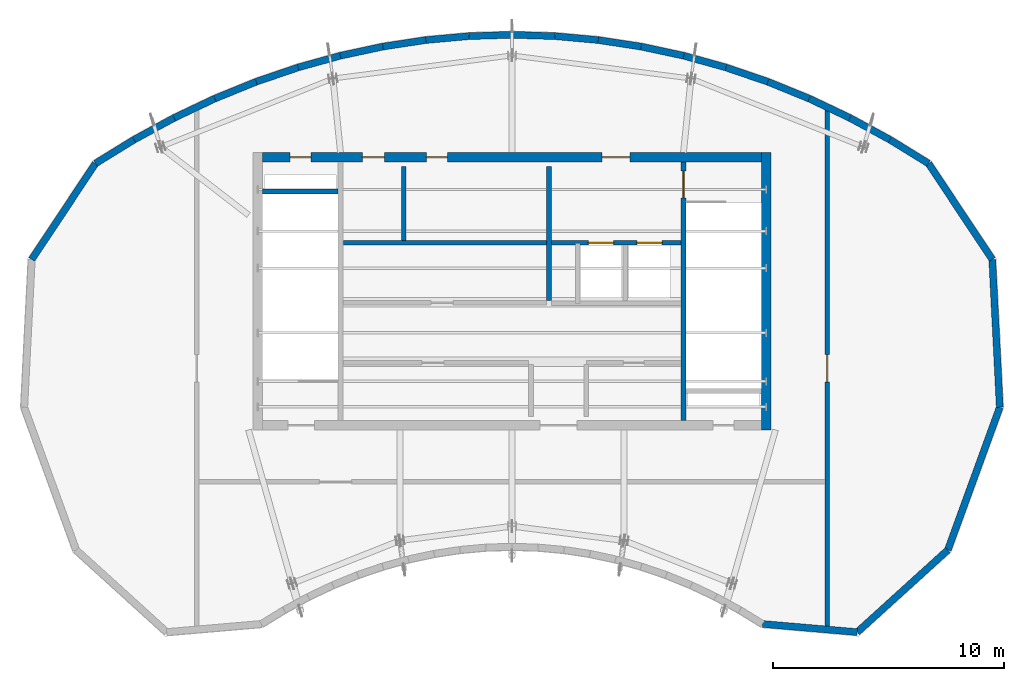
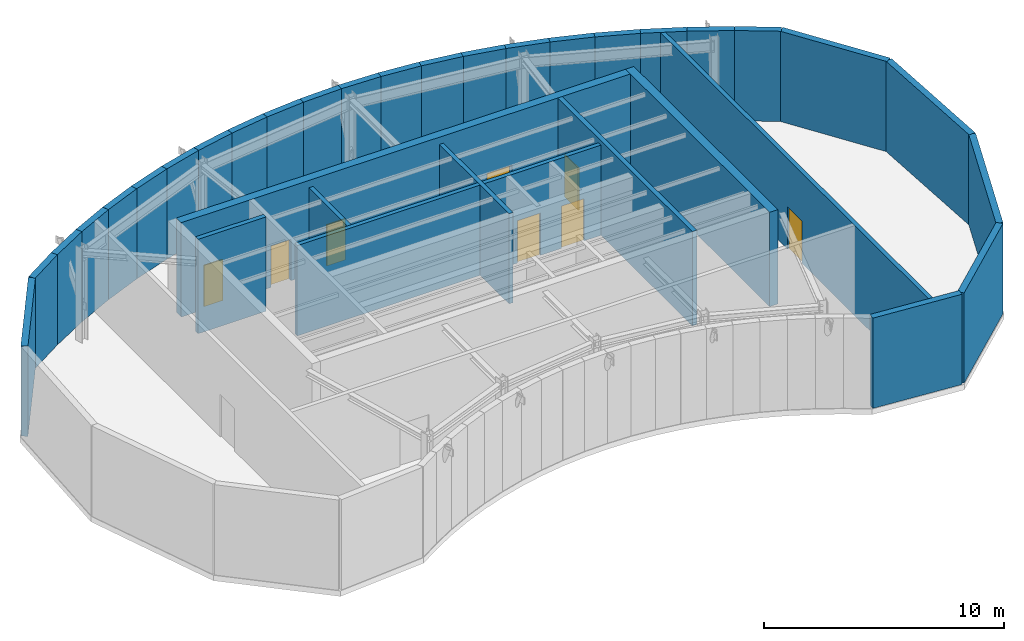
# One storey, part 5 of 6: 35 walls, 8 doors, 8 openings.
"""IFC4 building model written with IfcOpenShell, lengths in metres."""

from ifc_helpers import new_model, si_unit, direction, frame, frame_2d, origin, place, context, subcontext, project, spatial, rectangle, extrude, source, transform, mapped, material, layer, layer_set, type_object, type_shapes, element, fill, save


model = new_model("IFC4")

# Units and contexts
model_context = context("Model", 3, precision=1e-05, world=origin(), true_north=direction((0.0, 1.0)))
body_context = subcontext(model_context, "Body", "Model", "MODEL_VIEW")
ifc_project = project(units=[si_unit("LENGTHUNIT", "METRE"), si_unit("AREAUNIT", "SQUARE_METRE"), si_unit("VOLUMEUNIT", "CUBIC_METRE"), si_unit("PLANEANGLEUNIT", "RADIAN"), si_unit("MASSUNIT", "GRAM", prefix="KILO")], contexts=[model_context])

# Site, building, storey
site_placement = place(None, origin())
site = spatial("IfcSite", under=ifc_project, at=site_placement, CompositionType="ELEMENT")
building_placement = place(site_placement, origin())
building = spatial("IfcBuilding", under=site, at=building_placement, Name="Breltana Convention Tower", CompositionType="ELEMENT")
storey_placement = place(building_placement, frame((0.0, 0.0, 323.39990234375)))
storey = spatial("IfcBuildingStorey", under=building, at=storey_placement, Name="L78", CompositionType="ELEMENT", Elevation=323.39990234375)

# Walls
ifc_material_1 = material(Name="Concrete C50/60", Category="concrete")
ifc_layer_1 = layer(ifc_material_1, 0.39990234375, Name="Concrete C50/60")
ifc_layer_set_1 = layer_set([ifc_layer_1], Name="Concrete C50/60")
wall_type_1 = type_object("IfcWallType", Name="SW-CORE-400", PredefinedType="SHEAR", material=ifc_layer_set_1)
shared_shape_1 = source(origin(), body_context, "Body", "SweptSolid", [
    extrude(rectangle(XDim=3.27001953125, YDim=0.219970703125, at=frame_2d((1.635009765625, 0.0))), origin(), (0.0, 0.0, 1.0), 4.800048828125),
])
wall_1_placement = place(storey_placement, frame((37.199951171875, 70.510009765625, 0.0), z_axis=(0.0, 0.0, 1.0), x_axis=(1.0, 0.0, 0.0)))
element("IfcWall", 1, at=wall_1_placement, inside=storey, type_object=wall_type_1, Name="L78 ST-1 Stairwell North Bearing Wall", PredefinedType="SHEAR", context=body_context, shape_type="MappedRepresentation", body=[
    mapped(shared_shape_1, transform((0.0, 0.0, 0.0), scale=1.0)),
])
shared_shape_2 = source(origin(), body_context, "Body", "SweptSolid", [
    extrude(rectangle(XDim=12.0, YDim=0.39990234375, at=frame_2d((6.0, 0.0))), origin(), (0.0, 0.0, 1.0), 4.800048828125),
])
wall_2_placement = place(storey_placement, frame((59.0, 60.199951171875, 0.0), z_axis=(0.0, 0.0, 1.0), x_axis=(0.0, 1.0, 0.0)))
element("IfcWall", 2, at=wall_2_placement, inside=storey, type_object=wall_type_1, Name="L78 East Core Shear Wall", PredefinedType="SHEAR", context=body_context, shape_type="MappedRepresentation", body=[
    mapped(shared_shape_2, transform((0.0, 0.0, 0.0), scale=1.0)),
])

# Wall, openings, doors
shared_shape_3 = source(origin(), body_context, "Body", "SweptSolid", [
    extrude(rectangle(XDim=21.60009765625, YDim=0.39990234375, at=frame_2d((10.800048828125, 0.0))), origin(), (0.0, 0.0, 1.0), 4.800048828125),
])
wall_3_placement = place(storey_placement, frame((37.199951171875, 72.0, 0.0), z_axis=(0.0, 0.0, 1.0), x_axis=(1.0, 0.0, 0.0)))
wall_3 = element("IfcWall", 3, at=wall_3_placement, inside=storey, type_object=wall_type_1, Name="L78 North Core Shear Wall", PredefinedType="SHEAR", context=body_context, shape_type="MappedRepresentation", body=[
    mapped(shared_shape_3, transform((0.0, 0.0, 0.0), scale=1.0)),
])
opening_1_placement = place(wall_3_placement, frame((1.199951171875, 0.0, 0.0)))
opening_1 = element("IfcOpeningElement", 4, at=opening_1_placement, cuts=wall_3, Name="Opening D-18", PredefinedType="OPENING", context=body_context, shape_type="SweptSolid", body=[
    extrude(rectangle(XDim=0.89990234375, YDim=2.10009765625, at=frame_2d((0.449951171875, 1.050048828125))), frame((0.0, 0.2099609375, 0.0), z_axis=(0.0, -1.0, 0.0), x_axis=(1.0, 0.0, 0.0)), (0.0, 0.0, 1.0), 0.419921875),
])
opening_2_placement = place(wall_3_placement, frame((14.699951171875, 0.0, 0.0)))
opening_2 = element("IfcOpeningElement", 5, at=opening_2_placement, cuts=wall_3, Name="Opening D-09", PredefinedType="OPENING", context=body_context, shape_type="SweptSolid", body=[
    extrude(rectangle(XDim=1.199951171875, YDim=2.14990234375, at=frame_2d((0.60009765625, 1.074951171875))), frame((0.0, 0.2099609375, 0.0), z_axis=(0.0, -1.0, 0.0), x_axis=(1.0, 0.0, 0.0)), (0.0, 0.0, 1.0), 0.419921875),
])
opening_3_placement = place(wall_3_placement, frame((4.324951171875, 0.0, 0.0)))
opening_3 = element("IfcOpeningElement", 6, at=opening_3_placement, cuts=wall_3, Name="Opening D-15", PredefinedType="OPENING", context=body_context, shape_type="SweptSolid", body=[
    extrude(rectangle(XDim=0.949951171875, YDim=2.10009765625, at=frame_2d((0.47509765625, 1.050048828125))), frame((0.0, 0.2099609375, 0.0), z_axis=(0.0, -1.0, 0.0), x_axis=(1.0, 0.0, 0.0)), (0.0, 0.0, 1.0), 0.419921875),
])
opening_4_placement = place(wall_3_placement, frame((7.10009765625, 0.0, 0.0)))
opening_4 = element("IfcOpeningElement", 7, at=opening_4_placement, cuts=wall_3, Name="Opening D-18", PredefinedType="OPENING", context=body_context, shape_type="SweptSolid", body=[
    extrude(rectangle(XDim=0.89990234375, YDim=2.10009765625, at=frame_2d((0.449951171875, 1.050048828125))), frame((0.0, 0.2099609375, 0.0), z_axis=(0.0, -1.0, 0.0), x_axis=(1.0, 0.0, 0.0)), (0.0, 0.0, 1.0), 0.419921875),
])
ifc_material_2 = material(Name="Steel Riser Fire Door", Category="steel")
door_type_1 = type_object("IfcDoorType", Name="DR-FD60-900", OperationType="NOTDEFINED", PredefinedType="DOOR", material=ifc_material_2)
shared_shape_4 = source(origin(), body_context, "Body", "SweptSolid", [
    extrude(rectangle(XDim=0.89990234375, YDim=2.10009765625, at=frame_2d((0.449951171875, 1.050048828125))), frame((0.0, 0.02490234375, 0.0), z_axis=(0.0, -1.0, 0.0), x_axis=(1.0, 0.0, 0.0)), (0.0, 0.0, 1.0), 0.050048828125),
])
type_shapes(door_type_1, [shared_shape_4])
door_1_placement = place(opening_1_placement, origin())
door_1 = element("IfcDoor", 8, at=door_1_placement, inside=storey, type_object=door_type_1, Name="L78 Core Riser Access Door D-L78-RS1", OperationType="SINGLE_SWING_LEFT", OverallHeight=2.10009765625, OverallWidth=0.89990234375, PredefinedType="DOOR", context=body_context, shape_type="MappedRepresentation", body=[
    mapped(shared_shape_4, transform((0.0, 0.0, 0.0), scale=1.0)),
])
fill(opening_1, door_1)
door_2_placement = place(opening_4_placement, origin())
door_2 = element("IfcDoor", 9, at=door_2_placement, inside=storey, type_object=door_type_1, Name="L78 interior door D-L78-CRA1", OperationType="SINGLE_SWING_RIGHT", OverallHeight=2.10009765625, OverallWidth=0.89990234375, PredefinedType="DOOR", context=body_context, shape_type="MappedRepresentation", body=[
    mapped(shared_shape_4, transform((0.0, 0.0, 0.0), scale=1.0)),
])
fill(opening_4, door_2)
ifc_material_3 = material(Name="Steel Fire Lobby Door", Category="steel")
door_type_2 = type_object("IfcDoorType", Name="DR-FD120-1200", OperationType="NOTDEFINED", PredefinedType="DOOR", material=ifc_material_3)
shared_shape_5 = source(origin(), body_context, "Body", "SweptSolid", [
    extrude(rectangle(XDim=1.199951171875, YDim=2.14990234375, at=frame_2d((0.60009765625, 1.074951171875))), frame((0.0, 0.02490234375, 0.0), z_axis=(0.0, -1.0, 0.0), x_axis=(1.0, 0.0, 0.0)), (0.0, 0.0, 1.0), 0.050048828125),
])
type_shapes(door_type_2, [shared_shape_5])
door_3_placement = place(opening_2_placement, origin())
door_3 = element("IfcDoor", 10, at=door_3_placement, inside=storey, type_object=door_type_2, Name="L78 interior door D-L78-FFL-N", OperationType="SINGLE_SWING_RIGHT", OverallHeight=2.14990234375, OverallWidth=1.199951171875, PredefinedType="DOOR", context=body_context, shape_type="MappedRepresentation", body=[
    mapped(shared_shape_5, transform((0.0, 0.0, 0.0), scale=1.0)),
])
fill(opening_2, door_3)
ifc_material_4 = material(Name="Steel Insulated Fire Door", Category="steel")
door_type_3 = type_object("IfcDoorType", Name="DR-FD90-950", OperationType="NOTDEFINED", PredefinedType="DOOR", material=ifc_material_4)
shared_shape_6 = source(origin(), body_context, "Body", "SweptSolid", [
    extrude(rectangle(XDim=0.949951171875, YDim=2.10009765625, at=frame_2d((0.47509765625, 1.050048828125))), frame((0.0, 0.02490234375, 0.0), z_axis=(0.0, -1.0, 0.0), x_axis=(1.0, 0.0, 0.0)), (0.0, 0.0, 1.0), 0.050048828125),
])
type_shapes(door_type_3, [shared_shape_6])
door_4_placement = place(opening_3_placement, origin())
door_4 = element("IfcDoor", 11, at=door_4_placement, inside=storey, type_object=door_type_3, Name="L78 interior door D-L78-SV-MCH", OperationType="SINGLE_SWING_LEFT", OverallHeight=2.10009765625, OverallWidth=0.949951171875, PredefinedType="DOOR", context=body_context, shape_type="MappedRepresentation", body=[
    mapped(shared_shape_6, transform((0.0, 0.0, 0.0), scale=1.0)),
])
fill(opening_3, door_4)

# Wall, opening, door
shared_shape_7 = source(origin(), body_context, "Body", "SweptSolid", [
    extrude(rectangle(XDim=11.199951171875, YDim=0.219970703125, at=frame_2d((5.60009765625, 0.0))), origin(), (0.0, 0.0, 1.0), 4.800048828125),
])
wall_4_placement = place(storey_placement, frame((55.419921875, 60.60009765625, 0.0), z_axis=(0.0, 0.0, 1.0), x_axis=(0.0, 1.0, 0.0)))
wall_4 = element("IfcWall", 12, at=wall_4_placement, inside=storey, type_object=wall_type_1, Name="L78 Core East Stair Spine Wall", PredefinedType="SHEAR", context=body_context, shape_type="MappedRepresentation", body=[
    mapped(shared_shape_7, transform((0.0, 0.0, 0.0), scale=1.0)),
])
opening_5_placement = place(wall_4_placement, frame((9.64501953125, 0.0, 0.0)))
opening_5 = element("IfcOpeningElement", 13, at=opening_5_placement, cuts=wall_4, Name="Opening D-11", PredefinedType="OPENING", context=body_context, shape_type="SweptSolid", body=[
    extrude(rectangle(XDim=1.14990234375, YDim=2.14990234375, at=frame_2d((0.574951171875, 1.074951171875))), frame((0.0, 0.1201171875, 0.0), z_axis=(0.0, -1.0, 0.0), x_axis=(1.0, 0.0, 0.0)), (0.0, 0.0, 1.0), 0.239990234375),
])
ifc_material_5 = material(Name="Steel Stair Exit Door", Category="steel")
door_type_4 = type_object("IfcDoorType", Name="DR-FD120-1150", OperationType="NOTDEFINED", PredefinedType="DOOR", material=ifc_material_5)
shared_shape_8 = source(origin(), body_context, "Body", "SweptSolid", [
    extrude(rectangle(XDim=1.14990234375, YDim=2.14990234375, at=frame_2d((0.574951171875, 1.074951171875))), frame((0.0, 0.02490234375, 0.0), z_axis=(0.0, -1.0, 0.0), x_axis=(1.0, 0.0, 0.0)), (0.0, 0.0, 1.0), 0.050048828125),
])
type_shapes(door_type_4, [shared_shape_8])
door_5_placement = place(opening_5_placement, origin())
door_5 = element("IfcDoor", 14, at=door_5_placement, inside=storey, type_object=door_type_4, Name="L78 interior door D-L78-ST2", OperationType="SINGLE_SWING_LEFT", OverallHeight=2.14990234375, OverallWidth=1.14990234375, PredefinedType="DOOR", context=body_context, shape_type="MappedRepresentation", body=[
    mapped(shared_shape_8, transform((0.0, 0.0, 0.0), scale=1.0)),
])
fill(opening_5, door_5)

# Walls
ifc_material_6 = material(Name="Limestone Buff Insulated Wall", Category="masonry")
ifc_layer_2 = layer(ifc_material_6, 0.300048828125, Name="Limestone Buff Insulated Wall")
ifc_layer_set_2 = layer_set([ifc_layer_2], Name="Limestone Buff Insulated Wall")
wall_type_2 = type_object("IfcWallType", Name="WL-EXT-CRN-300", PredefinedType="SOLIDWALL", material=ifc_layer_set_2)
shared_shape_9 = source(origin(), body_context, "Body", "SweptSolid", [
    extrude(rectangle(XDim=4.987548828125, YDim=0.300048828125, at=frame_2d((2.49365234375, 0.0))), origin(), (0.0, 0.0, 1.0), 4.590087890625),
])
for number, where, z_axis, x_axis, name in (
    (15, (66.0205078125, 71.72900390625, 0.0), (0.0, 0.0, 1.0), (0.553468328856, -0.832870223356, 0.0), "L78 mechanical limestone enclosure wall 1"),
    (16, (27.218994140625, 67.574951171875, 0.0), (0.0, 0.0, 1.0), (0.553468328856, 0.832870223356, 0.0), "L78 mechanical limestone enclosure wall 49"),
):
    element("IfcWall", number, at=place(storey_placement, frame(where, z_axis=z_axis, x_axis=x_axis)), inside=storey, type_object=wall_type_2, Name=name, PredefinedType="SOLIDWALL", context=body_context, shape_type="MappedRepresentation", body=[
        mapped(shared_shape_9, transform((0.0, 0.0, 0.0), scale=1.0)),
    ])
shared_shape_10 = source(origin(), body_context, "Body", "SweptSolid", [
    extrude(rectangle(XDim=6.39990234375, YDim=0.300048828125, at=frame_2d((3.199951171875, 0.0))), origin(), (0.0, 0.0, 1.0), 4.590087890625),
])
wall_5_placement = place(storey_placement, frame((68.781005859375, 67.574951171875, 0.0), z_axis=(0.0, 0.0, 1.0), x_axis=(0.050888906156, -0.998704320222, 0.0)))
element("IfcWall", 17, at=wall_5_placement, inside=storey, type_object=wall_type_2, Name="L78 mechanical limestone enclosure wall 2", PredefinedType="SOLIDWALL", context=body_context, shape_type="MappedRepresentation", body=[
    mapped(shared_shape_10, transform((0.0, 0.0, 0.0), scale=1.0)),
])
shared_shape_11 = source(origin(), body_context, "Body", "SweptSolid", [
    extrude(rectangle(XDim=6.572998046875, YDim=0.300048828125, at=frame_2d((3.28662109375, 0.0))), origin(), (0.0, 0.0, 1.0), 4.590087890625),
])
wall_6_placement = place(storey_placement, frame((69.106689453125, 61.183349609375, 0.0), z_axis=(0.0, 0.0, 1.0), x_axis=(-0.342017422465, -0.939693611094, 0.0)))
element("IfcWall", 18, at=wall_6_placement, inside=storey, type_object=wall_type_2, Name="L78 mechanical limestone enclosure wall 3", PredefinedType="SOLIDWALL", context=body_context, shape_type="MappedRepresentation", body=[
    mapped(shared_shape_11, transform((0.0, 0.0, 0.0), scale=1.0)),
])
shared_shape_12 = source(origin(), body_context, "Body", "SweptSolid", [
    extrude(rectangle(XDim=5.2939453125, YDim=0.300048828125, at=frame_2d((2.64697265625, 0.0))), origin(), (0.0, 0.0, 1.0), 4.590087890625),
])
wall_7_placement = place(storey_placement, frame((66.858642578125, 55.0068359375, 0.0), z_axis=(0.0, 0.0, 1.0), x_axis=(-0.740695017527, -0.671841418052, 0.0)))
element("IfcWall", 19, at=wall_7_placement, inside=storey, type_object=wall_type_2, Name="L78 mechanical limestone enclosure wall 4", PredefinedType="SOLIDWALL", context=body_context, shape_type="MappedRepresentation", body=[
    mapped(shared_shape_12, transform((0.0, 0.0, 0.0), scale=1.0)),
])
shared_shape_13 = source(origin(), body_context, "Body", "SweptSolid", [
    extrude(rectangle(XDim=4.110595703125, YDim=0.300048828125, at=frame_2d((2.05517578125, 0.0))), origin(), (0.0, 0.0, 1.0), 4.590087890625),
])
wall_8_placement = place(storey_placement, frame((62.9375, 51.4501953125, 0.0), z_axis=(0.0, 0.0, 1.0), x_axis=(-0.996300298771, 0.085940180764, 0.0)))
element("IfcWall", 20, at=wall_8_placement, inside=storey, type_object=wall_type_2, Name="L78 mechanical limestone enclosure wall 5", PredefinedType="SOLIDWALL", context=body_context, shape_type="MappedRepresentation", body=[
    mapped(shared_shape_13, transform((0.0, 0.0, 0.0), scale=1.0)),
])
shared_shape_14 = source(origin(), body_context, "Body", "SweptSolid", [
    extrude(rectangle(XDim=1.96044921875, YDim=0.300048828125, at=frame_2d((0.980224609375, 0.0))), origin(), (0.0, 0.0, 1.0), 4.590087890625),
])
for number, where, z_axis, x_axis, name in (
    (21, (29.9794921875, 71.72900390625, 0.0), (0.0, 0.0, 1.0), (0.85131178833, 0.524660117647, 0.0), "L78 mechanical limestone enclosure wall 50"),
    (22, (64.3515625, 72.757568359375, 0.0), (0.0, 0.0, 1.0), (0.85131178833, -0.524660117647, 0.0), "L78 mechanical limestone enclosure wall 69"),
):
    element("IfcWall", number, at=place(storey_placement, frame(where, z_axis=z_axis, x_axis=x_axis)), inside=storey, type_object=wall_type_2, Name=name, PredefinedType="SOLIDWALL", context=body_context, shape_type="MappedRepresentation", body=[
        mapped(shared_shape_14, transform((0.0, 0.0, 0.0), scale=1.0)),
    ])
shared_shape_15 = source(origin(), body_context, "Body", "SweptSolid", [
    extrude(rectangle(XDim=1.9716796875, YDim=0.300048828125, at=frame_2d((0.98583984375, 0.0))), origin(), (0.0, 0.0, 1.0), 4.590087890625),
])
for number, where, z_axis, x_axis, name in (
    (23, (31.6484375, 72.757568359375, 0.0), (0.0, 0.0, 1.0), (0.878387239208, 0.477949639603, 0.0), "L78 mechanical limestone enclosure wall 51"),
    (24, (62.61962890625, 73.699951171875, 0.0), (0.0, 0.0, 1.0), (0.878387239208, -0.477949639603, 0.0), "L78 mechanical limestone enclosure wall 68"),
):
    element("IfcWall", number, at=place(storey_placement, frame(where, z_axis=z_axis, x_axis=x_axis)), inside=storey, type_object=wall_type_2, Name=name, PredefinedType="SOLIDWALL", context=body_context, shape_type="MappedRepresentation", body=[
        mapped(shared_shape_15, transform((0.0, 0.0, 0.0), scale=1.0)),
    ])
shared_shape_16 = source(origin(), body_context, "Body", "SweptSolid", [
    extrude(rectangle(XDim=1.94970703125, YDim=0.300048828125, at=frame_2d((0.974853515625, 0.0))), origin(), (0.0, 0.0, 1.0), 4.590087890625),
])
for number, where, z_axis, x_axis, name in (
    (25, (33.38037109375, 73.699951171875, 0.0), (0.0, 0.0, 1.0), (0.903429098402, 0.428737523621, 0.0), "L78 mechanical limestone enclosure wall 52"),
    (26, (60.858154296875, 74.535888671875, 0.0), (0.0, 0.0, 1.0), (0.903429098402, -0.428737523621, 0.0), "L78 mechanical limestone enclosure wall 67"),
):
    element("IfcWall", number, at=place(storey_placement, frame(where, z_axis=z_axis, x_axis=x_axis)), inside=storey, type_object=wall_type_2, Name=name, PredefinedType="SOLIDWALL", context=body_context, shape_type="MappedRepresentation", body=[
        mapped(shared_shape_16, transform((0.0, 0.0, 0.0), scale=1.0)),
    ])
shared_shape_17 = source(origin(), body_context, "Body", "SweptSolid", [
    extrude(rectangle(XDim=1.93017578125, YDim=0.300048828125, at=frame_2d((0.965087890625, 0.0))), origin(), (0.0, 0.0, 1.0), 4.590087890625),
])
for number, where, z_axis, x_axis, name in (
    (27, (35.141845703125, 74.535888671875, 0.0), (0.0, 0.0, 1.0), (0.926200349129, 0.377031713882, 0.0), "L78 mechanical limestone enclosure wall 53"),
    (28, (59.0703125, 75.263671875, 0.0), (0.0, 0.0, 1.0), (0.926200349129, -0.377031713882, 0.0), "L78 mechanical limestone enclosure wall 66"),
):
    element("IfcWall", number, at=place(storey_placement, frame(where, z_axis=z_axis, x_axis=x_axis)), inside=storey, type_object=wall_type_2, Name=name, PredefinedType="SOLIDWALL", context=body_context, shape_type="MappedRepresentation", body=[
        mapped(shared_shape_17, transform((0.0, 0.0, 0.0), scale=1.0)),
    ])
shared_shape_18 = source(origin(), body_context, "Body", "SweptSolid", [
    extrude(rectangle(XDim=1.913330078125, YDim=0.300048828125, at=frame_2d((0.95654296875, 0.0))), origin(), (0.0, 0.0, 1.0), 4.590087890625),
])
for number, where, z_axis, x_axis, name in (
    (29, (36.9296875, 75.263671875, 0.0), (0.0, 0.0, 1.0), (0.946322251217, 0.323224684781, 0.0), "L78 mechanical limestone enclosure wall 54"),
    (30, (57.259765625, 75.882080078125, 0.0), (0.0, 0.0, 1.0), (0.946322251217, -0.323224684781, 0.0), "L78 mechanical limestone enclosure wall 65"),
):
    element("IfcWall", number, at=place(storey_placement, frame(where, z_axis=z_axis, x_axis=x_axis)), inside=storey, type_object=wall_type_2, Name=name, PredefinedType="SOLIDWALL", context=body_context, shape_type="MappedRepresentation", body=[
        mapped(shared_shape_18, transform((0.0, 0.0, 0.0), scale=1.0)),
    ])
shared_shape_19 = source(origin(), body_context, "Body", "SweptSolid", [
    extrude(rectangle(XDim=1.8984375, YDim=0.300048828125, at=frame_2d((0.94921875, 0.0))), origin(), (0.0, 0.0, 1.0), 4.590087890625),
])
for number, where, z_axis, x_axis, name in (
    (31, (38.740234375, 75.882080078125, 0.0), (0.0, 0.0, 1.0), (0.963597090692, 0.267358648278, 0.0), "L78 mechanical limestone enclosure wall 55"),
    (32, (55.430419921875, 76.3896484375, 0.0), (0.0, 0.0, 1.0), (0.963597090692, -0.267358648278, 0.0), "L78 mechanical limestone enclosure wall 64"),
):
    element("IfcWall", number, at=place(storey_placement, frame(where, z_axis=z_axis, x_axis=x_axis)), inside=storey, type_object=wall_type_2, Name=name, PredefinedType="SOLIDWALL", context=body_context, shape_type="MappedRepresentation", body=[
        mapped(shared_shape_19, transform((0.0, 0.0, 0.0), scale=1.0)),
    ])
shared_shape_20 = source(origin(), body_context, "Body", "SweptSolid", [
    extrude(rectangle(XDim=1.88623046875, YDim=0.300048828125, at=frame_2d((0.943115234375, 0.0))), origin(), (0.0, 0.0, 1.0), 4.590087890625),
])
for number, where, z_axis, x_axis, name in (
    (33, (40.569580078125, 76.3896484375, 0.0), (0.0, 0.0, 1.0), (0.977715200964, 0.209935670633, 0.0), "L78 mechanical limestone enclosure wall 56"),
    (34, (53.586181640625, 76.78564453125, 0.0), (0.0, 0.0, 1.0), (0.977715200964, -0.209935670633, 0.0), "L78 mechanical limestone enclosure wall 63"),
):
    element("IfcWall", number, at=place(storey_placement, frame(where, z_axis=z_axis, x_axis=x_axis)), inside=storey, type_object=wall_type_2, Name=name, PredefinedType="SOLIDWALL", context=body_context, shape_type="MappedRepresentation", body=[
        mapped(shared_shape_20, transform((0.0, 0.0, 0.0), scale=1.0)),
    ])
shared_shape_21 = source(origin(), body_context, "Body", "SweptSolid", [
    extrude(rectangle(XDim=1.877197265625, YDim=0.300048828125, at=frame_2d((0.9384765625, 0.0))), origin(), (0.0, 0.0, 1.0), 4.590087890625),
])
for number, where, z_axis, x_axis, name in (
    (35, (42.413818359375, 76.78564453125, 0.0), (0.0, 0.0, 1.0), (0.988554409846, 0.150864769823, 0.0), "L78 mechanical limestone enclosure wall 57"),
    (36, (51.73046875, 77.06884765625, 0.0), (0.0, 0.0, 1.0), (0.988554409846, -0.150864769823, 0.0), "L78 mechanical limestone enclosure wall 62"),
):
    element("IfcWall", number, at=place(storey_placement, frame(where, z_axis=z_axis, x_axis=x_axis)), inside=storey, type_object=wall_type_2, Name=name, PredefinedType="SOLIDWALL", context=body_context, shape_type="MappedRepresentation", body=[
        mapped(shared_shape_21, transform((0.0, 0.0, 0.0), scale=1.0)),
    ])
shared_shape_22 = source(origin(), body_context, "Body", "SweptSolid", [
    extrude(rectangle(XDim=1.87109375, YDim=0.300048828125, at=frame_2d((0.935546875, 0.0))), origin(), (0.0, 0.0, 1.0), 4.590087890625),
])
for number, where, z_axis, x_axis, name in (
    (37, (44.26953125, 77.06884765625, 0.0), (0.0, 0.0, 1.0), (0.995855687337, 0.090947512326, 0.0), "L78 mechanical limestone enclosure wall 58"),
    (38, (49.8671875, 77.239013671875, 0.0), (0.0, 0.0, 1.0), (0.995855687337, -0.090947512326, 0.0), "L78 mechanical limestone enclosure wall 61"),
):
    element("IfcWall", number, at=place(storey_placement, frame(where, z_axis=z_axis, x_axis=x_axis)), inside=storey, type_object=wall_type_2, Name=name, PredefinedType="SOLIDWALL", context=body_context, shape_type="MappedRepresentation", body=[
        mapped(shared_shape_22, transform((0.0, 0.0, 0.0), scale=1.0)),
    ])
shared_shape_23 = source(origin(), body_context, "Body", "SweptSolid", [
    extrude(rectangle(XDim=1.8681640625, YDim=0.300048828125, at=frame_2d((0.93408203125, 0.0))), origin(), (0.0, 0.0, 1.0), 4.590087890625),
])
for number, where, z_axis, x_axis, name in (
    (39, (46.1328125, 77.239013671875, 0.0), (0.0, 0.0, 1.0), (0.999536250024, 0.030451352805, 0.0), "L78 mechanical limestone enclosure wall 59"),
    (40, (48.0, 77.2958984375, 0.0), (0.0, 0.0, 1.0), (0.999536250024, -0.030451352805, 0.0), "L78 mechanical limestone enclosure wall 60"),
):
    element("IfcWall", number, at=place(storey_placement, frame(where, z_axis=z_axis, x_axis=x_axis)), inside=storey, type_object=wall_type_2, Name=name, PredefinedType="SOLIDWALL", context=body_context, shape_type="MappedRepresentation", body=[
        mapped(shared_shape_23, transform((0.0, 0.0, 0.0), scale=1.0)),
    ])

# Wall, openings, doors
ifc_material_7 = material(Name="Autoclaved Aerated Concrete Block", Category="concrete")
ifc_layer_3 = layer(ifc_material_7, 0.199951171875, Name="Autoclaved Aerated Concrete Block")
ifc_layer_set_3 = layer_set([ifc_layer_3], Name="Autoclaved Aerated Concrete Block")
wall_type_3 = type_object("IfcWallType", Name="WL-SHAFT-200", PredefinedType="SOLIDWALL", material=ifc_layer_set_3)
shared_shape_24 = source(origin(), body_context, "Body", "SweptSolid", [
    extrude(rectangle(XDim=5.6201171875, YDim=0.199951171875, at=frame_2d((2.81005859375, 0.0))), origin(), (0.0, 0.0, 1.0), 4.590087890625),
])
wall_9_placement = place(storey_placement, frame((49.699951171875, 68.300048828125, 0.0), z_axis=(0.0, 0.0, 1.0), x_axis=(1.0, 0.0, 0.0)))
wall_9 = element("IfcWall", 41, at=wall_9_placement, inside=storey, type_object=wall_type_3, Name="L78 interior partition W-L78-FFL-S", PredefinedType="SOLIDWALL", context=body_context, shape_type="MappedRepresentation", body=[
    mapped(shared_shape_24, transform((0.0, 0.0, 0.0), scale=1.0)),
])
opening_6_placement = place(wall_9_placement, frame((1.60009765625, 0.0, 0.0)))
opening_6 = element("IfcOpeningElement", 42, at=opening_6_placement, cuts=wall_9, Name="Opening LD-03", PredefinedType="OPENING", context=body_context, shape_type="SweptSolid", body=[
    extrude(rectangle(XDim=1.10009765625, YDim=2.14990234375, at=frame_2d((0.550048828125, 1.074951171875))), frame((0.0, 0.10986328125, 0.0), z_axis=(0.0, -1.0, 0.0), x_axis=(1.0, 0.0, 0.0)), (0.0, 0.0, 1.0), 0.219970703125),
])
opening_7_placement = place(wall_9_placement, frame((3.699951171875, 0.0, 0.0)))
opening_7 = element("IfcOpeningElement", 43, at=opening_7_placement, cuts=wall_9, Name="Opening LD-03", PredefinedType="OPENING", context=body_context, shape_type="SweptSolid", body=[
    extrude(rectangle(XDim=1.10009765625, YDim=2.14990234375, at=frame_2d((0.550048828125, 1.074951171875))), frame((0.0, 0.10986328125, 0.0), z_axis=(0.0, -1.0, 0.0), x_axis=(1.0, 0.0, 0.0)), (0.0, 0.0, 1.0), 0.219970703125),
])
ifc_material_8 = material(Name="Stainless Steel Brushed", Category="steel")
door_type_5 = type_object("IfcDoorType", Name="DR-LD-FF-1100", OperationType="DOUBLE_DOOR_SLIDING", PredefinedType="DOOR", material=ifc_material_8)
shared_shape_25 = source(origin(), body_context, "Body", "SweptSolid", [
    extrude(rectangle(XDim=1.10009765625, YDim=2.14990234375, at=frame_2d((0.550048828125, 1.074951171875))), frame((0.0, 0.02490234375, 0.0), z_axis=(0.0, -1.0, 0.0), x_axis=(1.0, 0.0, 0.0)), (0.0, 0.0, 1.0), 0.050048828125),
])
type_shapes(door_type_5, [shared_shape_25])
door_6_placement = place(opening_6_placement, origin())
door_6 = element("IfcDoor", 44, at=door_6_placement, inside=storey, type_object=door_type_5, Name="L78 Lift Landing Door D-L78-LD-FL1", OperationType="DOUBLE_DOOR_SLIDING", OverallHeight=2.14990234375, OverallWidth=1.10009765625, PredefinedType="DOOR", context=body_context, shape_type="MappedRepresentation", body=[
    mapped(shared_shape_25, transform((0.0, 0.0, 0.0), scale=1.0)),
])
fill(opening_6, door_6)
door_7_placement = place(opening_7_placement, origin())
door_7 = element("IfcDoor", 45, at=door_7_placement, inside=storey, type_object=door_type_5, Name="L78 Lift Landing Door D-L78-LD-FL2", OperationType="DOUBLE_DOOR_SLIDING", OverallHeight=2.14990234375, OverallWidth=1.10009765625, PredefinedType="DOOR", context=body_context, shape_type="MappedRepresentation", body=[
    mapped(shared_shape_25, transform((0.0, 0.0, 0.0), scale=1.0)),
])
fill(opening_7, door_7)

# Walls
shared_shape_26 = source(origin(), body_context, "Body", "SweptSolid", [
    extrude(rectangle(XDim=5.800048828125, YDim=0.199951171875, at=frame_2d((2.89990234375, 0.0))), origin(), (0.0, 0.0, 1.0), 4.590087890625),
])
wall_10_placement = place(storey_placement, frame((49.60009765625, 65.800048828125, 0.0), z_axis=(0.0, 0.0, 1.0), x_axis=(0.0, 1.0, 0.0)))
element("IfcWall", 46, at=wall_10_placement, inside=storey, type_object=wall_type_3, Name="L78 interior partition W-L78-FFL-W", PredefinedType="SOLIDWALL", context=body_context, shape_type="MappedRepresentation", body=[
    mapped(shared_shape_26, transform((0.0, 0.0, 0.0), scale=1.0)),
])
shared_shape_27 = source(origin(), body_context, "Body", "SweptSolid", [
    extrude(rectangle(XDim=3.2001953125, YDim=0.199951171875, at=frame_2d((1.60009765625, 0.0))), origin(), (0.0, 0.0, 1.0), 4.590087890625),
])
wall_11_placement = place(storey_placement, frame((43.320068359375, 68.39990234375, 0.0), z_axis=(0.0, 0.0, 1.0), x_axis=(0.0, 1.0, 0.0)))
element("IfcWall", 47, at=wall_11_placement, inside=storey, type_object=wall_type_3, Name="L78 interior partition W-L78-SV-E", PredefinedType="SOLIDWALL", context=body_context, shape_type="MappedRepresentation", body=[
    mapped(shared_shape_27, transform((0.0, 0.0, 0.0), scale=1.0)),
])
shared_shape_28 = source(origin(), body_context, "Body", "SweptSolid", [
    extrude(rectangle(XDim=8.800048828125, YDim=0.199951171875, at=frame_2d((4.39990234375, 0.0))), origin(), (0.0, 0.0, 1.0), 4.590087890625),
])
wall_12_placement = place(storey_placement, frame((40.699951171875, 68.300048828125, 0.0), z_axis=(0.0, 0.0, 1.0), x_axis=(1.0, 0.0, 0.0)))
element("IfcWall", 48, at=wall_12_placement, inside=storey, type_object=wall_type_3, Name="L78 interior partition W-L78-SV-S", PredefinedType="SOLIDWALL", context=body_context, shape_type="MappedRepresentation", body=[
    mapped(shared_shape_28, transform((0.0, 0.0, 0.0), scale=1.0)),
])

# Wall, opening, door
shared_shape_29 = source(origin(), body_context, "Body", "SweptSolid", [
    extrude(rectangle(XDim=22.581787109375, YDim=0.199951171875, at=frame_2d((11.291015625, 0.0))), origin(), (0.0, 0.0, 1.0), 4.590087890625),
])
wall_13_placement = place(storey_placement, frame((61.639892578125, 51.572021484375, 0.0), z_axis=(0.0, 0.0, 1.0), x_axis=(0.0, 1.0, 0.0)))
wall_13 = element("IfcWall", 49, at=wall_13_placement, inside=storey, type_object=wall_type_3, Name="L78 interior partition W-L78-CPL-E", PredefinedType="SOLIDWALL", context=body_context, shape_type="MappedRepresentation", body=[
    mapped(shared_shape_29, transform((0.0, 0.0, 0.0), scale=1.0)),
])
opening_8_placement = place(wall_13_placement, frame((10.69091796875, 0.0, 0.0)))
opening_8 = element("IfcOpeningElement", 50, at=opening_8_placement, cuts=wall_13, Name="Opening D-09", PredefinedType="OPENING", context=body_context, shape_type="SweptSolid", body=[
    extrude(rectangle(XDim=1.199951171875, YDim=2.14990234375, at=frame_2d((0.60009765625, 1.074951171875))), frame((0.0, 0.10986328125, 0.0), z_axis=(0.0, -1.0, 0.0), x_axis=(1.0, 0.0, 0.0)), (0.0, 0.0, 1.0), 0.219970703125),
])
door_8_placement = place(opening_8_placement, origin())
door_8 = element("IfcDoor", 51, at=door_8_placement, inside=storey, type_object=door_type_2, Name="L78 interior door D-L78-CPLE", OperationType="SINGLE_SWING_LEFT", OverallHeight=2.14990234375, OverallWidth=1.199951171875, PredefinedType="DOOR", context=body_context, shape_type="MappedRepresentation", body=[
    mapped(shared_shape_5, transform((0.0, 0.0, 0.0), scale=1.0)),
])
fill(opening_8, door_8)

save(model, "model.ifc")
